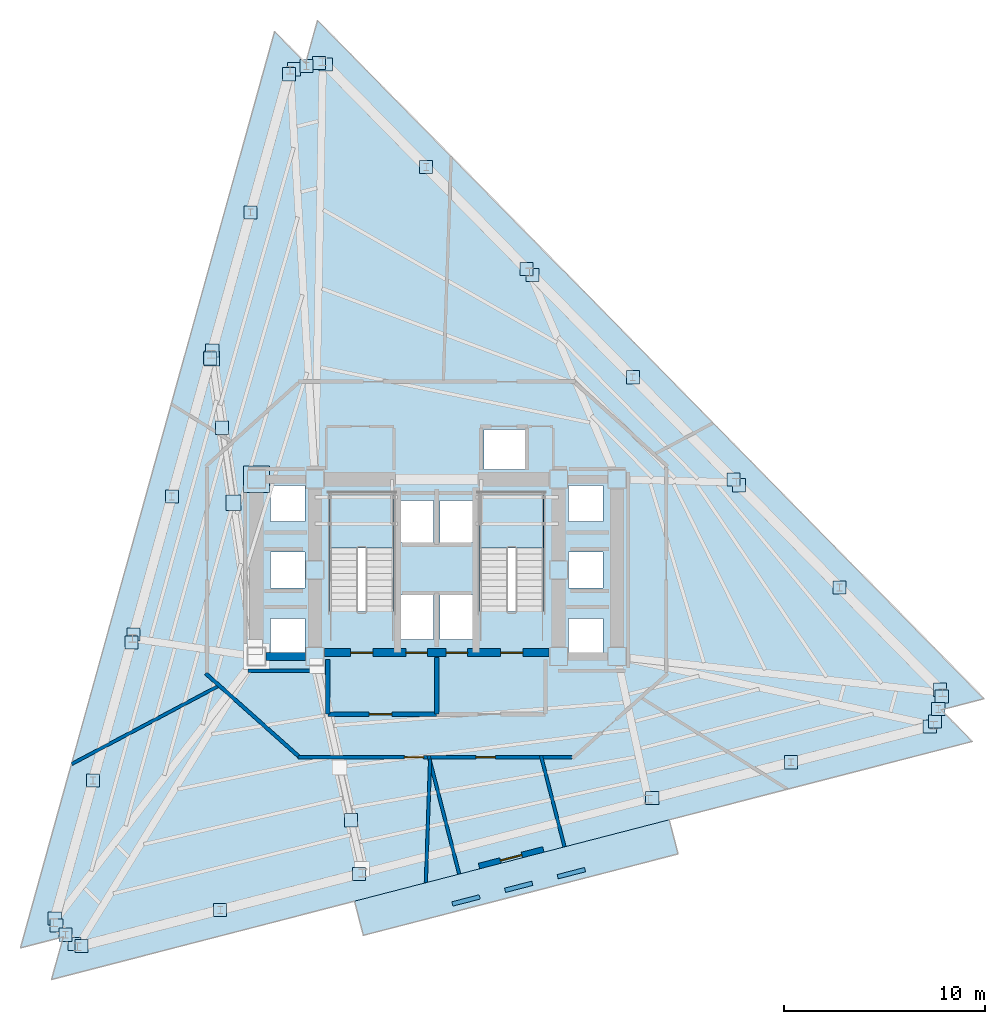
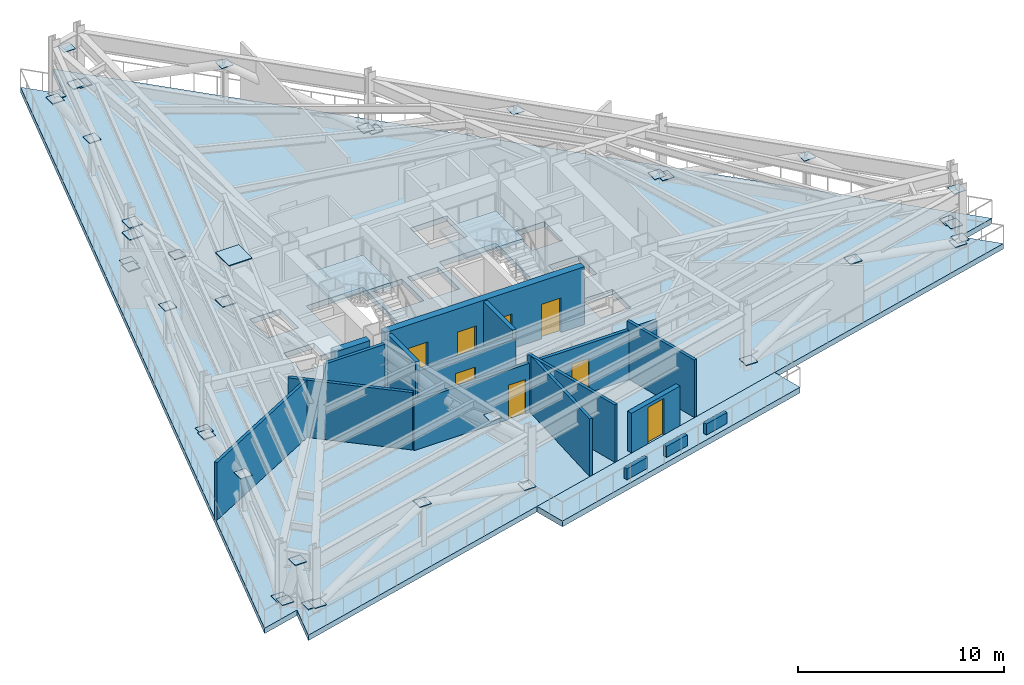
# One storey, part 6 of 11: 39 plates, 16 walls, 8 doors, 4 slabs, 8 openings, 2 elements without a shape of their own.
"""IFC4 building model written with IfcOpenShell, lengths in metres."""

from ifc_helpers import new_model, si_unit, direction, frame, frame_2d, origin, origin_2d, place, context, subcontext, project, spatial, polyline, rectangle, outline, extrude, material, layer, layer_set, type_object, element, fill, aggregate, save


model = new_model("IFC4")

# Units and contexts
model_context = context("Model", 3, precision=1e-05, world=origin(), true_north=direction((0.0, 1.0)))
body_context = subcontext(model_context, "Body", "Model", "MODEL_VIEW")
ifc_project = project(units=[si_unit("LENGTHUNIT", "METRE"), si_unit("AREAUNIT", "SQUARE_METRE"), si_unit("VOLUMEUNIT", "CUBIC_METRE"), si_unit("PLANEANGLEUNIT", "RADIAN"), si_unit("MASSUNIT", "GRAM", prefix="KILO")], contexts=[model_context])

# Site, building, storey
site_placement = place(None, origin())
site = spatial("IfcSite", under=ifc_project, at=site_placement, CompositionType="ELEMENT")
building_placement = place(site_placement, origin())
building = spatial("IfcBuilding", under=site, at=building_placement, Name="Rocaltana Carrier Exchange", CompositionType="ELEMENT")
storey_placement = place(building_placement, frame((0.0, 0.0, 100.800048828125)))
storey = spatial("IfcBuildingStorey", under=building, at=storey_placement, Name="L31", CompositionType="ELEMENT", Elevation=100.800048828125)

# Plates
ifc_material_1 = material(Name="Steel S460", Category="steel")
ifc_layer_1 = layer(ifc_material_1, 0.031982421875)
ifc_layer_set_1 = layer_set([ifc_layer_1], Name="Steel S460")
plate_type_1 = type_object("IfcPlateType", Name="Belt Truss Node End-Cap Plate 650x650x32", PredefinedType="USERDEFINED", material=ifc_layer_set_1)
for number, where, z_axis, x_axis, name in (
    (1, (24.97607421875, -5.947509765625, 0.333984375), (0.0, 0.0, 1.0), (1.0, 0.0, 0.0), "L31 Belt Truss Bottom Chord 1 node plate C0"),
    (2, (15.002685546875, 4.20166015625, 0.333984375), (0.0, 0.0, 1.0), (1.0, 0.0, 0.0), "L31 Belt Truss Bottom Chord 1 node plate C1"),
    (3, (19.989501953125, -0.872802734375, 2.82177734375), (0.0, 0.0, 1.0), (1.0, 0.0, 0.0), "L31 Belt Truss Diagonal 1A node plate C1"),
    (4, (14.719482421875, 4.48974609375, 0.333984375), (0.0, 0.0, 1.0), (1.0, 0.0, 0.0), "L31 Belt Truss Bottom Chord 2 node plate C0"),
    (5, (4.74609375, 14.638916015625, 0.333984375), (0.0, 0.0, 1.0), (1.0, 0.0, 0.0), "L31 Belt Truss Bottom Chord 2 node plate C1"),
    (6, (9.732666015625, 9.564208984375, 2.82177734375), (0.0, 0.0, 1.0), (1.0, 0.0, 0.0), "L31 Belt Truss Diagonal 2A node plate C1"),
    (7, (4.462890625, 14.927001953125, 0.333984375), (0.0, 0.0, 1.0), (1.0, 0.0, 0.0), "L31 Belt Truss Bottom Chord 3 node plate C0"),
    (8, (-5.510498046875, 25.076171875, 0.333984375), (0.0, 0.0, 1.0), (1.0, 0.0, 0.0), "L31 Belt Truss Bottom Chord 3 node plate C1"),
    (9, (-0.52392578125, 20.001708984375, 2.82177734375), (0.0, 0.0, 1.0), (1.0, 0.0, 0.0), "L31 Belt Truss Diagonal 3A node plate C1"),
    (10, (-5.847900390625, 25.169677734375, 0.333984375), (0.0, 0.0, 1.0), (1.0, 0.0, 0.0), "L31 Belt Truss Bottom Chord 4 node plate C0"),
    (11, (-7.087890625, 24.848876953125, 0.333984375), (0.0, 0.0, 1.0), (1.0, 0.0, 0.0), "L31 Belt Truss Bottom Chord 4 node plate C1"),
    (12, (-6.468017578125, 25.00927734375, 2.82177734375), (0.0, 0.0, 1.0), (1.0, 0.0, 0.0), "L31 Belt Truss Diagonal 4A node plate C1"),
    (13, (-7.33740234375, 24.603515625, 0.333984375), (0.0, 0.0, 1.0), (1.0, 0.0, 0.0), "L31 Belt Truss Bottom Chord 5 node plate C0"),
    (14, (-11.14013671875, 10.891845703125, 0.333984375), (0.0, 0.0, 1.0), (1.0, 0.0, 0.0), "L31 Belt Truss Bottom Chord 5 node plate C1"),
    (15, (-9.23876953125, 17.747802734375, 2.82177734375), (0.0, 0.0, 1.0), (1.0, 0.0, 0.0), "L31 Belt Truss Diagonal 5A node plate C1"),
    (16, (-11.248046875, 10.50244140625, 0.333984375), (0.0, 0.0, 1.0), (1.0, 0.0, 0.0), "L31 Belt Truss Bottom Chord 6 node plate C0"),
    (17, (-15.050537109375, -3.209228515625, 0.333984375), (0.0, 0.0, 1.0), (1.0, 0.0, 0.0), "L31 Belt Truss Bottom Chord 6 node plate C1"),
    (18, (-13.1494140625, 3.646728515625, 2.82177734375), (0.0, 0.0, 1.0), (1.0, 0.0, 0.0), "L31 Belt Truss Diagonal 6A node plate C1"),
    (19, (-15.15869140625, -3.5986328125, 0.333984375), (0.0, 0.0, 1.0), (1.0, 0.0, 0.0), "L31 Belt Truss Bottom Chord 7 node plate C0"),
    (20, (-18.961181640625, -17.310302734375, 0.333984375), (0.0, 0.0, 1.0), (1.0, 0.0, 0.0), "L31 Belt Truss Bottom Chord 7 node plate C1"),
    (21, (-17.059814453125, -10.45458984375, 2.82177734375), (0.0, 0.0, 1.0), (1.0, 0.0, 0.0), "L31 Belt Truss Diagonal 7A node plate C1"),
    (22, (-18.87353515625, -17.649169921875, 0.333984375), (0.0, 0.0, 1.0), (1.0, 0.0, 0.0), "L31 Belt Truss Bottom Chord 8 node plate C0"),
    (23, (-17.975830078125, -18.562744140625, 0.333984375), (0.0, 0.0, 1.0), (1.0, 0.0, 0.0), "L31 Belt Truss Bottom Chord 8 node plate C1"),
    (24, (-18.4248046875, -18.10595703125, 2.82177734375), (0.0, 0.0, 1.0), (1.0, 0.0, 0.0), "L31 Belt Truss Diagonal 8A node plate C1"),
    (25, (-17.638671875, -18.65625, 0.333984375), (0.0, 0.0, 1.0), (1.0, 0.0, 0.0), "L31 Belt Truss Bottom Chord 9 node plate C0"),
    (26, (-3.862548828125, -15.093505859375, 0.333984375), (0.0, 0.0, 1.0), (1.0, 0.0, 0.0), "L31 Belt Truss Bottom Chord 9 node plate C1"),
    (27, (-10.75048828125, -16.875, 2.82177734375), (0.0, 0.0, 1.0), (1.0, 0.0, 0.0), "L31 Belt Truss Diagonal 9A node plate C1"),
    (28, (10.69580078125, -11.328369140625, 0.333984375), (0.0, 0.0, 1.0), (1.0, 0.0, 0.0), "L31 Belt Truss Bottom Chord 11 node plate C0"),
    (29, (24.4716796875, -7.765869140625, 0.333984375), (0.0, 0.0, 1.0), (1.0, 0.0, 0.0), "L31 Belt Truss Bottom Chord 11 node plate C1"),
    (30, (17.583740234375, -9.547119140625, 2.82177734375), (0.0, 0.0, 1.0), (1.0, 0.0, 0.0), "L31 Belt Truss Diagonal 11A node plate C1"),
    (31, (24.721435546875, -7.5205078125, 0.333984375), (0.0, 0.0, 1.0), (1.0, 0.0, 0.0), "L31 Belt Truss Bottom Chord 12 node plate C0"),
    (32, (25.063720703125, -6.2861328125, 0.333984375), (0.0, 0.0, 1.0), (1.0, 0.0, 0.0), "L31 Belt Truss Bottom Chord 12 node plate C1"),
    (33, (24.892578125, -6.9033203125, 2.82177734375), (0.0, 0.0, 1.0), (1.0, 0.0, 0.0), "L31 Belt Truss Diagonal 12A node plate C1"),
    (34, (-10.6494140625, 7.057861328125, 2.921875), (0.0, 0.0, 1.0), (1.0, 0.0, 0.0), "L31 Wind Floor Tie Strut 6 node plate C1"),
    (35, (-4.247802734375, -12.425048828125, 2.921875), (0.0, 0.0, 1.0), (1.0, 0.0, 0.0), "L31 Wind Floor Tie Strut 10 node plate C1"),
):
    element("IfcPlate", number, at=place(storey_placement, frame(where, z_axis=z_axis, x_axis=x_axis)), inside=storey, type_object=plate_type_1, Name=name, ObjectType="GUSSET PLATE", PredefinedType="USERDEFINED", context=body_context, shape_type="SweptSolid", body=[
        extrude(rectangle(XDim=0.64990234375, YDim=0.64990234375, at=origin_2d()), origin(), (0.0, 0.0, 1.0), 0.031982421875),
    ])
ifc_material_2 = material(Name="Steel S460", Category="steel")
ifc_layer_2 = layer(ifc_material_2, 0.050048828125)
ifc_layer_set_2 = layer_set([ifc_layer_2], Name="Steel S460")
plate_type_2 = type_object("IfcPlateType", Name="Column Splice Cap Plate 1300x1300x50", PredefinedType="SHEET", material=ifc_layer_set_2)
plate_placement = place(storey_placement, frame((-8.949951171875, 4.5, 3.81494140625), z_axis=(0.0, 0.0, 1.0), x_axis=(1.0, 0.0, 0.0)))
element("IfcPlate", 36, at=plate_placement, inside=storey, type_object=plate_type_2, Name="Termination Cap Plate WC1", PredefinedType="SHEET", context=body_context, shape_type="SweptSolid", body=[
    extrude(rectangle(XDim=1.300048828125, YDim=1.300048828125, at=origin_2d()), origin(), (0.0, 0.0, 1.0), 0.050048828125),
])

# Slab
ifc_material_3 = material(Name="Concrete C50/60", Category="concrete")
ifc_layer_3 = layer(ifc_material_3, 0.320068359375)
ifc_layer_set_3 = layer_set([ifc_layer_3], Name="Concrete C50/60")
slab_type_1 = type_object("IfcSlabType", Name="Mechanical Plant Slab 320", PredefinedType="FLOOR", material=ifc_layer_set_3)
slab_1_placement = place(storey_placement, frame((0.0, 0.0, -0.320068359375)))
element("IfcSlab", 37, at=slab_1_placement, inside=storey, type_object=slab_type_1, Name="L31 Structural Floor Slab", PredefinedType="FLOOR", context=body_context, shape_type="SweptSolid", body=[
    extrude(outline(polyline([(26.577880859375, -8.51220703125), (25.035888671875, -6.943115234375), (27.165771484375, -6.39208984375), (-5.9169921875, 27.273193359375), (-6.505126953125, 25.1533203125), (-8.047119140625, 26.722412109375), (-20.66064453125, -18.760986328125), (-18.53076171875, -18.210205078125), (-19.11865234375, -20.330078125), (26.577880859375, -8.51220703125)]), holes=[polyline([(-5.300048828125, -2.06005859375), (-2.139892578125, -2.06005859375), (-2.139892578125, 3.800048828125), (-5.300048828125, 3.800048828125), (-5.300048828125, -2.06005859375)]), polyline([(2.139892578125, -2.06005859375), (5.300048828125, -2.06005859375), (5.300048828125, 3.800048828125), (2.139892578125, 3.800048828125), (2.139892578125, -2.06005859375)]), polyline([(-1.85009765625, -3.449951171875), (-0.14990234375, -3.449951171875), (-0.14990234375, -1.25), (-1.85009765625, -1.25), (-1.85009765625, -3.449951171875)]), polyline([(0.14990234375, -3.449951171875), (1.85009765625, -3.449951171875), (1.85009765625, -1.25), (0.14990234375, -1.25), (0.14990234375, -3.449951171875)]), polyline([(2.35009765625, 4.97998046875), (4.39990234375, 4.97998046875), (4.39990234375, 6.97998046875), (2.35009765625, 6.97998046875), (2.35009765625, 4.97998046875)]), polyline([(-1.85009765625, 1.35009765625), (-0.14990234375, 1.35009765625), (-0.14990234375, 3.449951171875), (-1.85009765625, 3.449951171875), (-1.85009765625, 1.35009765625)]), polyline([(0.14990234375, 1.35009765625), (1.85009765625, 1.35009765625), (1.85009765625, 3.449951171875), (0.14990234375, 3.449951171875), (0.14990234375, 1.35009765625)]), polyline([(-8.25, -4.199951171875), (-6.550048828125, -4.199951171875), (-6.550048828125, -2.39990234375), (-8.25, -2.39990234375), (-8.25, -4.199951171875)]), polyline([(-8.25, -0.89990234375), (-6.550048828125, -0.89990234375), (-6.550048828125, 0.89990234375), (-8.25, 0.89990234375), (-8.25, -0.89990234375)]), polyline([(-8.25, 2.39990234375), (-6.550048828125, 2.39990234375), (-6.550048828125, 4.199951171875), (-8.25, 4.199951171875), (-8.25, 2.39990234375)]), polyline([(6.550048828125, -4.199951171875), (8.25, -4.199951171875), (8.25, -2.39990234375), (6.550048828125, -2.39990234375), (6.550048828125, -4.199951171875)]), polyline([(6.550048828125, -0.89990234375), (8.25, -0.89990234375), (8.25, 0.89990234375), (6.550048828125, 0.89990234375), (6.550048828125, -0.89990234375)]), polyline([(6.550048828125, 2.39990234375), (8.25, 2.39990234375), (8.25, 4.199951171875), (6.550048828125, 4.199951171875), (6.550048828125, 2.39990234375)])]), origin(), (0.0, 0.0, 1.0), 0.320068359375),
])

# Plates
ifc_material_4 = material(Name="Steel S460", Category="steel")
ifc_layer_4 = layer(ifc_material_4, 0.035888671875)
ifc_layer_set_4 = layer_set([ifc_layer_4], Name="Steel S460")
plate_type_3 = type_object("IfcPlateType", Name="Outrigger Node Gusset Plate 750x750x36", PredefinedType="USERDEFINED", material=ifc_layer_set_4)
for number, where, z_axis, x_axis, name in (
    (38, (-11.164306640625, 10.497314453125, 2.22216796875), (0.0, 0.0, 1.0), (1.0, 0.0, 0.0), "L31 Outrigger Bottom Chord 6 node plate C1"),
    (39, (-11.164306640625, 10.497314453125, 2.919921875), (0.0, 0.0, 1.0), (1.0, 0.0, 0.0), "L31 Outrigger Top Chord 6 node plate C1"),
    (40, (-10.092041015625, 3.33154296875, 2.22216796875), (0.0, 0.0, 1.0), (1.0, 0.0, 0.0), "L31 Outrigger Inner Diagonal 6 node plate C1"),
):
    element("IfcPlate", number, at=place(storey_placement, frame(where, z_axis=z_axis, x_axis=x_axis)), inside=storey, type_object=plate_type_3, Name=name, ObjectType="GUSSET PLATE", PredefinedType="USERDEFINED", context=body_context, shape_type="SweptSolid", body=[
        extrude(rectangle(XDim=0.75, YDim=0.75, at=origin_2d()), origin(), (0.0, 0.0, 1.0), 0.035888671875),
    ])

# Stair, slab
ifc_material_5 = material(Name="Precast concrete C45/55", Category="concrete")
stair_type = type_object("IfcStairType", Name="Standard Dog-Leg Stair 160", PredefinedType="HALF_TURN_STAIR", material=ifc_material_5)
stair_1_placement = place(storey_placement, origin())
stair_1 = element("IfcStair", 41, at=stair_1_placement, inside=storey, type_object=stair_type, Name="L31 Core West Exit Stair ST-1", PredefinedType="HALF_TURN_STAIR")
ifc_material_6 = material(Name="Precast concrete C45/55", Category="concrete")
ifc_layer_5 = layer(ifc_material_6, 0.199951171875)
ifc_layer_set_5 = layer_set([ifc_layer_5], Name="Precast concrete C45/55")
slab_type_2 = type_object("IfcSlabType", Name="Precast Stair Half-Landing 200", PredefinedType="LANDING", material=ifc_layer_set_5)
slab_2_placement = place(storey_placement, frame((0.0, 0.0, 1.719970703125)))
slab_2 = element("IfcSlab", 42, at=slab_2_placement, type_object=slab_type_2, Name="ST-1 landing 1", PredefinedType="LANDING", context=body_context, shape_type="SweptSolid", body=[
    extrude(outline(polyline([(-2.139892578125, 1.10009765625), (-2.139892578125, 3.800048828125), (-5.300048828125, 3.800048828125), (-5.300048828125, 1.10009765625), (-2.139892578125, 1.10009765625)])), origin(), (0.0, 0.0, 1.0), 0.199951171875),
])
aggregate(stair_1, [slab_2])

stair_2_placement = place(storey_placement, origin())
stair_2 = element("IfcStair", 43, at=stair_2_placement, inside=storey, type_object=stair_type, Name="L31 Core East Exit Stair ST-2", PredefinedType="HALF_TURN_STAIR")
slab_3_placement = place(storey_placement, frame((0.0, 0.0, 1.719970703125)))
slab_3 = element("IfcSlab", 44, at=slab_3_placement, type_object=slab_type_2, Name="ST-2 landing 1", PredefinedType="LANDING", context=body_context, shape_type="SweptSolid", body=[
    extrude(outline(polyline([(5.300048828125, 1.10009765625), (5.300048828125, 3.800048828125), (2.139892578125, 3.800048828125), (2.139892578125, 1.10009765625), (5.300048828125, 1.10009765625)])), origin(), (0.0, 0.0, 1.0), 0.199951171875),
])
aggregate(stair_2, [slab_3])

# Slab
ifc_material_7 = material(Name="Concrete C50/60", Category="concrete")
ifc_layer_6 = layer(ifc_material_7, 0.340087890625)
ifc_layer_set_6 = layer_set([ifc_layer_6], Name="Concrete C50/60")
slab_type_3 = type_object("IfcSlabType", Name="Sky Garden Deck Slab 340", PredefinedType="FLOOR", material=ifc_layer_set_6)
slab_4_placement = place(storey_placement, frame((0.0, 0.0, -0.340087890625)))
element("IfcSlab", 45, at=slab_4_placement, inside=storey, type_object=slab_type_3, Name="L31 Sky Garden Terrace Deck", PredefinedType="FLOOR", context=body_context, shape_type="SweptSolid", body=[
    extrude(outline(polyline([(-4.080078125, -16.44091796875), (-3.64208984375, -18.13525390625), (11.9775390625, -14.095703125), (11.539306640625, -12.4013671875), (-4.080078125, -16.44091796875)])), origin(), (0.0, 0.0, 1.0), 0.340087890625),
])

# Walls
ifc_material_8 = material(Name="Double Acoustic Gypsum Partition", Category="gypsum")
ifc_layer_7 = layer(ifc_material_8, 0.159912109375)
ifc_layer_set_7 = layer_set([ifc_layer_7], Name="Double Acoustic Gypsum Partition")
wall_type_1 = type_object("IfcWallType", Name="Acoustic Studio Partition 160 EI60", PredefinedType="PARTITIONING", material=ifc_layer_set_7)
wall_1_placement = place(storey_placement, frame((-10.869873046875, -5.779541015625, 0.0), z_axis=(0.0, 0.0, 1.0), x_axis=(-0.882935860211, -0.469493628022, 0.0)))
element("IfcWall", 46, at=wall_1_placement, inside=storey, type_object=wall_type_1, Name="L31 Suite Divider Wall D1", PredefinedType="PARTITIONING", context=body_context, shape_type="SweptSolid", body=[
    extrude(rectangle(XDim=8.21044921875, YDim=0.159912109375, at=frame_2d((4.105224609375, 0.0))), origin(), (0.0, 0.0, 1.0), 3.39306640625),
])
wall_2_placement = place(storey_placement, frame((-0.32763671875, -9.3798828125, 0.0), z_axis=(0.0, 0.0, 1.0), x_axis=(-0.034875909332, -0.99939165043, 0.0)))
element("IfcWall", 47, at=wall_2_placement, inside=storey, type_object=wall_type_1, Name="L31 Suite Divider Wall D2", PredefinedType="PARTITIONING", context=body_context, shape_type="SweptSolid", body=[
    extrude(rectangle(XDim=6.13916015625, YDim=0.159912109375, at=frame_2d((3.069580078125, 0.0))), origin(), (0.0, 0.0, 1.0), 3.39306640625),
])
wall_3_placement = place(storey_placement, frame((-0.404296875, -9.219970703125, 0.0), z_axis=(0.0, 0.0, 1.0), x_axis=(0.250366546607, -0.968151120611, 0.0)))
element("IfcWall", 48, at=wall_3_placement, inside=storey, type_object=wall_type_1, Name="L31 Enclosure Partition 1.1", PredefinedType="PARTITIONING", context=body_context, shape_type="SweptSolid", body=[
    extrude(rectangle(XDim=6.060546875, YDim=0.159912109375, at=frame_2d((3.0302734375, 0.0))), origin(), (0.0, 0.0, 1.0), 3.39306640625),
])
wall_4_placement = place(storey_placement, frame((6.341064453125, -13.7353515625, 0.0), z_axis=(0.0, 0.0, 1.0), x_axis=(-0.250373516553, 0.968149318137, 0.0)))
element("IfcWall", 49, at=wall_4_placement, inside=storey, type_object=wall_type_1, Name="L31 Enclosure Partition 1.1", PredefinedType="PARTITIONING", context=body_context, shape_type="SweptSolid", body=[
    extrude(rectangle(XDim=4.663818359375, YDim=0.159912109375, at=frame_2d((2.33203125, 0.0))), origin(), (0.0, 0.0, 1.0), 3.39306640625),
])

# Wall, openings, doors
ifc_material_9 = material(Name="Concrete C50/60", Category="concrete")
ifc_layer_8 = layer(ifc_material_9, 0.39990234375)
ifc_layer_set_8 = layer_set([ifc_layer_8], Name="Concrete C50/60")
wall_type_2 = type_object("IfcWallType", Name="Core Internal Shear Wall 400", PredefinedType="SHEAR", material=ifc_layer_set_8)
wall_5_placement = place(storey_placement, frame((-5.574951171875, -4.10009765625, 0.0), z_axis=(0.0, 0.0, 1.0), x_axis=(1.0, 0.0, 0.0)))
wall_5 = element("IfcWall", 50, at=wall_5_placement, inside=storey, type_object=wall_type_2, Name="L31 Core Shear Wall CW-S", PredefinedType="SHEAR", context=body_context, shape_type="SweptSolid", body=[
    extrude(rectangle(XDim=11.14990234375, YDim=0.39990234375, at=frame_2d((5.574951171875, 0.0))), origin(), (0.0, 0.0, 1.0), 3.41796875),
])
opening_1_placement = place(wall_5_placement, frame((1.304931640625, 0.0, 0.0)))
opening_1 = element("IfcOpeningElement", 51, at=opening_1_placement, cuts=wall_5, Name="Opening D-ST110", PredefinedType="OPENING", context=body_context, shape_type="SweptSolid", body=[
    extrude(rectangle(XDim=1.10009765625, YDim=2.0400390625, at=frame_2d((0.550048828125, 1.02001953125))), frame((0.0, 0.2099609375, 0.0), z_axis=(0.0, -1.0, 0.0), x_axis=(1.0, 0.0, 0.0)), (0.0, 0.0, 1.0), 0.419921875),
])
opening_2_placement = place(wall_5_placement, frame((8.7451171875, 0.0, 0.0)))
opening_2 = element("IfcOpeningElement", 52, at=opening_2_placement, cuts=wall_5, Name="Opening D-ST110", PredefinedType="OPENING", context=body_context, shape_type="SweptSolid", body=[
    extrude(rectangle(XDim=1.10009765625, YDim=2.0400390625, at=frame_2d((0.550048828125, 1.02001953125))), frame((0.0, 0.2099609375, 0.0), z_axis=(0.0, -1.0, 0.0), x_axis=(1.0, 0.0, 0.0)), (0.0, 0.0, 1.0), 0.419921875),
])
opening_3_placement = place(wall_5_placement, frame((4.044921875, 0.0, 0.0)))
opening_3 = element("IfcOpeningElement", 53, at=opening_3_placement, cuts=wall_5, Name="Opening LD-110", PredefinedType="OPENING", context=body_context, shape_type="SweptSolid", body=[
    extrude(rectangle(XDim=1.06005859375, YDim=2.0400390625, at=frame_2d((0.530029296875, 1.02001953125))), frame((0.0, 0.2099609375, 0.0), z_axis=(0.0, -1.0, 0.0), x_axis=(1.0, 0.0, 0.0)), (0.0, 0.0, 1.0), 0.419921875),
])
opening_4_placement = place(wall_5_placement, frame((6.044921875, 0.0, 0.0)))
opening_4 = element("IfcOpeningElement", 54, at=opening_4_placement, cuts=wall_5, Name="Opening LD-110", PredefinedType="OPENING", context=body_context, shape_type="SweptSolid", body=[
    extrude(rectangle(XDim=1.06005859375, YDim=2.0400390625, at=frame_2d((0.530029296875, 1.02001953125))), frame((0.0, 0.2099609375, 0.0), z_axis=(0.0, -1.0, 0.0), x_axis=(1.0, 0.0, 0.0)), (0.0, 0.0, 1.0), 0.419921875),
])
ifc_material_10 = material(Name="Hollow Metal Fire Door Assembly", Category="steel")
door_type_1 = type_object("IfcDoorType", Name="Exit Stair Fire Door 1100x2040 FD90S", OperationType="NOTDEFINED", PredefinedType="DOOR", material=ifc_material_10)
door_1_placement = place(opening_1_placement, origin())
door_1 = element("IfcDoor", 55, at=door_1_placement, inside=storey, type_object=door_type_1, Name="L31 Exit Stair ST1 Fire Door", OperationType="SINGLE_SWING_LEFT", OverallHeight=2.0400390625, OverallWidth=1.10009765625, PredefinedType="DOOR", context=body_context, shape_type="SweptSolid", body=[
    extrude(rectangle(XDim=1.10009765625, YDim=2.0400390625, at=frame_2d((0.550048828125, 1.02001953125))), frame((0.0, 0.02490234375, 0.0), z_axis=(0.0, -1.0, 0.0), x_axis=(1.0, 0.0, 0.0)), (0.0, 0.0, 1.0), 0.050048828125),
])
fill(opening_1, door_1)
door_2_placement = place(opening_2_placement, origin())
door_2 = element("IfcDoor", 56, at=door_2_placement, inside=storey, type_object=door_type_1, Name="L31 Exit Stair ST2 Fire Door", OperationType="SINGLE_SWING_RIGHT", OverallHeight=2.0400390625, OverallWidth=1.10009765625, PredefinedType="DOOR", context=body_context, shape_type="SweptSolid", body=[
    extrude(rectangle(XDim=1.10009765625, YDim=2.0400390625, at=frame_2d((0.550048828125, 1.02001953125))), frame((0.0, 0.02490234375, 0.0), z_axis=(0.0, -1.0, 0.0), x_axis=(1.0, 0.0, 0.0)), (0.0, 0.0, 1.0), 0.050048828125),
])
fill(opening_2, door_2)
ifc_material_11 = material(Name="Brushed Stainless Sliding Door Leaf", Category="steel")
door_type_2 = type_object("IfcDoorType", Name="Lift Landing Sliding Door 1060x2040", OperationType="NOTDEFINED", PredefinedType="DOOR", material=ifc_material_11)
door_3_placement = place(opening_3_placement, origin())
door_3 = element("IfcDoor", 57, at=door_3_placement, inside=storey, type_object=door_type_2, Name="L31 Firefighting Lift FFL1 Landing Door", OperationType="SLIDING_TO_LEFT", OverallHeight=2.0400390625, OverallWidth=1.06005859375, PredefinedType="DOOR", context=body_context, shape_type="SweptSolid", body=[
    extrude(rectangle(XDim=1.06005859375, YDim=2.0400390625, at=frame_2d((0.530029296875, 1.02001953125))), frame((0.0, 0.02490234375, 0.0), z_axis=(0.0, -1.0, 0.0), x_axis=(1.0, 0.0, 0.0)), (0.0, 0.0, 1.0), 0.050048828125),
])
fill(opening_3, door_3)
door_4_placement = place(opening_4_placement, origin())
door_4 = element("IfcDoor", 58, at=door_4_placement, inside=storey, type_object=door_type_2, Name="L31 Firefighting Lift FFL2 Landing Door", OperationType="SLIDING_TO_RIGHT", OverallHeight=2.0400390625, OverallWidth=1.06005859375, PredefinedType="DOOR", context=body_context, shape_type="SweptSolid", body=[
    extrude(rectangle(XDim=1.06005859375, YDim=2.0400390625, at=frame_2d((0.530029296875, 1.02001953125))), frame((0.0, 0.02490234375, 0.0), z_axis=(0.0, -1.0, 0.0), x_axis=(1.0, 0.0, 0.0)), (0.0, 0.0, 1.0), 0.050048828125),
])
fill(opening_4, door_4)

# Wall
wall_6_placement = place(storey_placement, frame((-8.47509765625, -4.300048828125, 0.0), z_axis=(0.0, 0.0, 1.0), x_axis=(1.0, 0.0, 0.0)))
element("IfcWall", 59, at=wall_6_placement, inside=storey, type_object=wall_type_2, Name="L31 Core Shear Wall CW-WWS", PredefinedType="SHEAR", context=body_context, shape_type="SweptSolid", body=[
    extrude(rectangle(XDim=1.9501953125, YDim=0.39990234375, at=frame_2d((0.97509765625, 0.0))), origin(), (0.0, 0.0, 1.0), 3.41796875),
])

# Wall, openings, doors
ifc_material_12 = material(Name="Gypsum & Steel Stud Partition", Category="steel")
ifc_layer_9 = layer(ifc_material_12, 0.179931640625)
ifc_layer_set_9 = layer_set([ifc_layer_9], Name="Gypsum & Steel Stud Partition")
wall_type_3 = type_object("IfcWallType", Name="Corridor Fire Partition 180 EI60", PredefinedType="PARTITIONING", material=ifc_layer_set_9)
wall_7_placement = place(storey_placement, frame((6.7099609375, -9.300048828125, 0.0), z_axis=(0.0, 0.0, 1.0), x_axis=(-1.0, 0.0, 0.0)))
wall_7 = element("IfcWall", 60, at=wall_7_placement, inside=storey, type_object=wall_type_3, Name="L31 Corridor Partition 5", PredefinedType="PARTITIONING", context=body_context, shape_type="SweptSolid", body=[
    extrude(rectangle(XDim=13.599853515625, YDim=0.179931640625, at=frame_2d((6.7998046875, 0.0))), origin(), (0.0, 0.0, 1.0), 2.906982421875),
])
opening_5_placement = place(wall_7_placement, frame((3.80419921875, 0.0, 0.0)))
opening_5 = element("IfcOpeningElement", 61, at=opening_5_placement, cuts=wall_7, Name="Opening D-RM098", PredefinedType="OPENING", context=body_context, shape_type="SweptSolid", body=[
    extrude(rectangle(XDim=0.9599609375, YDim=2.02001953125, at=frame_2d((0.47998046875, 1.010009765625))), frame((0.0, 0.099853515625, 0.0), z_axis=(0.0, -1.0, 0.0), x_axis=(1.0, 0.0, 0.0)), (0.0, 0.0, 1.0), 0.199951171875),
])
opening_6_placement = place(wall_7_placement, frame((7.358642578125, 0.0, 0.0)))
opening_6 = element("IfcOpeningElement", 62, at=opening_6_placement, cuts=wall_7, Name="Opening D-RM098", PredefinedType="OPENING", context=body_context, shape_type="SweptSolid", body=[
    extrude(rectangle(XDim=0.9599609375, YDim=2.02001953125, at=frame_2d((0.47998046875, 1.010009765625))), frame((0.0, 0.099853515625, 0.0), z_axis=(0.0, -1.0, 0.0), x_axis=(1.0, 0.0, 0.0)), (0.0, 0.0, 1.0), 0.199951171875),
])
ifc_material_13 = material(Name="Engineered Hardwood Timber", Category="wood")
door_type_3 = type_object("IfcDoorType", Name="Workspace Single Door 960x2020", OperationType="NOTDEFINED", PredefinedType="DOOR", material=ifc_material_13)
door_5_placement = place(opening_5_placement, origin())
door_5 = element("IfcDoor", 63, at=door_5_placement, inside=storey, type_object=door_type_3, Name="L31 Sky Garden Lounge Entrance Door", OperationType="SINGLE_SWING_LEFT", OverallHeight=2.02001953125, OverallWidth=0.9599609375, PredefinedType="DOOR", context=body_context, shape_type="SweptSolid", body=[
    extrude(rectangle(XDim=0.9599609375, YDim=2.02001953125, at=frame_2d((0.47998046875, 1.010009765625))), frame((0.0, 0.02490234375, 0.0), z_axis=(0.0, -1.0, 0.0), x_axis=(1.0, 0.0, 0.0)), (0.0, 0.0, 1.0), 0.050048828125),
])
fill(opening_5, door_5)
door_6_placement = place(opening_6_placement, origin())
door_6 = element("IfcDoor", 64, at=door_6_placement, inside=storey, type_object=door_type_3, Name="L31 High-Altitude Free-Cooling AHU Room Entrance Door", OperationType="SINGLE_SWING_LEFT", OverallHeight=2.02001953125, OverallWidth=0.9599609375, PredefinedType="DOOR", context=body_context, shape_type="SweptSolid", body=[
    extrude(rectangle(XDim=0.9599609375, YDim=2.02001953125, at=frame_2d((0.47998046875, 1.010009765625))), frame((0.0, 0.02490234375, 0.0), z_axis=(0.0, -1.0, 0.0), x_axis=(1.0, 0.0, 0.0)), (0.0, 0.0, 1.0), 0.050048828125),
])
fill(opening_6, door_6)

# Walls
wall_8_placement = place(storey_placement, frame((-6.8671875, -9.239990234375, 0.0), z_axis=(0.0, 0.0, 1.0), x_axis=(-0.746532095616, 0.665349404611, 0.0)))
element("IfcWall", 65, at=wall_8_placement, inside=storey, type_object=wall_type_3, Name="L31 Corridor Partition 6", PredefinedType="PARTITIONING", context=body_context, shape_type="SweptSolid", body=[
    extrude(rectangle(XDim=6.161865234375, YDim=0.179931640625, at=frame_2d((3.0810546875, 0.0))), origin(), (0.0, 0.0, 1.0), 3.39306640625),
])
wall_9_placement = place(storey_placement, frame((-9.3701171875, -5.010009765625, 0.0), z_axis=(0.0, 0.0, 1.0), x_axis=(1.0, 0.0, 0.0)))
element("IfcWall", 66, at=wall_9_placement, inside=storey, type_object=wall_type_3, Name="L31 Corridor Partition 10", PredefinedType="PARTITIONING", context=body_context, shape_type="SweptSolid", body=[
    extrude(rectangle(XDim=3.340087890625, YDim=0.179931640625, at=frame_2d((1.669921875, 0.0))), origin(), (0.0, 0.0, 1.0), 3.39306640625),
])
ifc_material_14 = material(Name="Autoclaved Aerated Concrete C30/37", Category="concrete")
ifc_layer_10 = layer(ifc_material_14, 0.219970703125)
ifc_layer_set_10 = layer_set([ifc_layer_10], Name="Autoclaved Aerated Concrete C30/37")
wall_type_4 = type_object("IfcWallType", Name="Firefighting Lobby Wall 220 EI120", PredefinedType="PARTITIONING", material=ifc_layer_set_10)
wall_10_placement = place(storey_placement, frame((-5.39990234375, -7.159912109375, 0.0), z_axis=(0.0, 0.0, 1.0), x_axis=(0.0, 1.0, 0.0)))
element("IfcWall", 67, at=wall_10_placement, inside=storey, type_object=wall_type_4, Name="L31 FFL Lobby 1 West Wall", PredefinedType="PARTITIONING", context=body_context, shape_type="SweptSolid", body=[
    extrude(rectangle(XDim=2.7099609375, YDim=0.219970703125, at=frame_2d((1.35498046875, 0.0))), origin(), (0.0, 0.0, 1.0), 3.39306640625),
])
wall_11_placement = place(storey_placement, frame((0.0, -7.159912109375, 0.0), z_axis=(0.0, 0.0, 1.0), x_axis=(0.0, 1.0, 0.0)))
element("IfcWall", 68, at=wall_11_placement, inside=storey, type_object=wall_type_4, Name="L31 FFL Lobby Centre Wall", PredefinedType="PARTITIONING", context=body_context, shape_type="SweptSolid", body=[
    extrude(rectangle(XDim=2.809814453125, YDim=0.219970703125, at=frame_2d((1.40478515625, 0.0))), origin(), (0.0, 0.0, 1.0), 3.39306640625),
])

# Wall, opening, door
wall_12_placement = place(storey_placement, frame((-5.39990234375, -7.159912109375, 0.0), z_axis=(0.0, 0.0, 1.0), x_axis=(1.0, 0.0, 0.0)))
wall_12 = element("IfcWall", 69, at=wall_12_placement, inside=storey, type_object=wall_type_4, Name="L31 FFL Lobby 1 South Wall", PredefinedType="PARTITIONING", context=body_context, shape_type="SweptSolid", body=[
    extrude(rectangle(XDim=5.39990234375, YDim=0.219970703125, at=frame_2d((2.699951171875, 0.0))), origin(), (0.0, 0.0, 1.0), 2.906982421875),
])
opening_7_placement = place(wall_12_placement, frame((2.050048828125, 0.0, 0.0)))
opening_7 = element("IfcOpeningElement", 70, at=opening_7_placement, cuts=wall_12, Name="Opening D-FF115", PredefinedType="OPENING", context=body_context, shape_type="SweptSolid", body=[
    extrude(rectangle(XDim=1.1201171875, YDim=2.02001953125, at=frame_2d((0.56005859375, 1.010009765625))), frame((0.0, 0.119873046875, 0.0), z_axis=(0.0, -1.0, 0.0), x_axis=(1.0, 0.0, 0.0)), (0.0, 0.0, 1.0), 0.239990234375),
])
ifc_material_15 = material(Name="Hollow Metal Fire Door Assembly", Category="steel")
door_type_4 = type_object("IfcDoorType", Name="Firefighting Lobby Door 1120x2020 FD60S", OperationType="NOTDEFINED", PredefinedType="DOOR", material=ifc_material_15)
door_7_placement = place(opening_7_placement, origin())
door_7 = element("IfcDoor", 71, at=door_7_placement, inside=storey, type_object=door_type_4, Name="L31 Firefighting Lift Lobby 1 Door", OperationType="SINGLE_SWING_LEFT", OverallHeight=2.02001953125, OverallWidth=1.1201171875, PredefinedType="DOOR", context=body_context, shape_type="SweptSolid", body=[
    extrude(rectangle(XDim=1.1201171875, YDim=2.02001953125, at=frame_2d((0.56005859375, 1.010009765625))), frame((0.0, 0.02490234375, 0.0), z_axis=(0.0, -1.0, 0.0), x_axis=(1.0, 0.0, 0.0)), (0.0, 0.0, 1.0), 0.050048828125),
])
fill(opening_7, door_7)

ifc_material_16 = material(Name="Precast sandstone concrete C45/55", Category="masonry")
ifc_layer_11 = layer(ifc_material_16, 0.280029296875)
ifc_layer_set_11 = layer_set([ifc_layer_11], Name="Precast sandstone concrete C45/55")
wall_type_5 = type_object("IfcWallType", Name="Sky Garden Foyer Enclosure Wall 280", PredefinedType="SOLIDWALL", material=ifc_layer_set_11)
wall_13_placement = place(storey_placement, frame((5.2919921875, -13.87255859375, 0.0), z_axis=(0.0, 0.0, 1.0), x_axis=(-0.968152477167, -0.250361300835, 0.0)))
wall_13 = element("IfcWall", 72, at=wall_13_placement, inside=storey, type_object=wall_type_5, Name="L31 Sky Garden Foyer Wall", PredefinedType="SOLIDWALL", context=body_context, shape_type="SweptSolid", body=[
    extrude(rectangle(XDim=3.2998046875, YDim=0.280029296875, at=frame_2d((1.64990234375, 0.0))), origin(), (0.0, 0.0, 1.0), 2.347900390625),
])
opening_8_placement = place(wall_13_placement, frame((1.10009765625, 0.0, 0.0)))
opening_8 = element("IfcOpeningElement", 73, at=opening_8_placement, cuts=wall_13, Name="Opening DT-110", PredefinedType="OPENING", context=body_context, shape_type="SweptSolid", body=[
    extrude(rectangle(XDim=1.10009765625, YDim=2.14990234375, at=frame_2d((0.550048828125, 1.074951171875))), frame((0.0, 0.14990234375, 0.0), z_axis=(0.0, -1.0, 0.0), x_axis=(1.0, 0.0, 0.0)), (0.0, 0.0, 1.0), 0.300048828125),
])
ifc_material_17 = material(Name="Anodised Aluminium 6063-T6", Category="aluminium")
door_type_5 = type_object("IfcDoorType", Name="Outdoor Terrace Access Door 1100x2150", OperationType="NOTDEFINED", PredefinedType="DOOR", material=ifc_material_17)
door_8_placement = place(opening_8_placement, origin())
door_8 = element("IfcDoor", 74, at=door_8_placement, inside=storey, type_object=door_type_5, Name="L31 Sky Garden Terrace Access Door", OperationType="SINGLE_SWING_RIGHT", OverallHeight=2.14990234375, OverallWidth=1.10009765625, PredefinedType="DOOR", context=body_context, shape_type="SweptSolid", body=[
    extrude(rectangle(XDim=1.10009765625, YDim=2.14990234375, at=frame_2d((0.550048828125, 1.074951171875))), frame((0.0, 0.02490234375, 0.0), z_axis=(0.0, -1.0, 0.0), x_axis=(1.0, 0.0, 0.0)), (0.0, 0.0, 1.0), 0.050048828125),
])
fill(opening_8, door_8)

# Walls
ifc_material_18 = material(Name="Precast sandstone concrete C40/50", Category="masonry")
ifc_layer_12 = layer(ifc_material_18, 0.219970703125)
ifc_layer_set_12 = layer_set([ifc_layer_12], Name="Precast sandstone concrete C40/50")
wall_type_6 = type_object("IfcWallType", Name="Sky Garden Stone Planter Curb 220", PredefinedType="USERDEFINED", material=ifc_layer_set_12)
for number, where, z_axis, x_axis, name in (
    (75, (0.77587890625, -16.579345703125, 0.0), (0.0, 0.0, 1.0), (0.968183342833, 0.250241912278, 0.0), "L31 Sky Garden Stone Planter 1"),
    (76, (3.389892578125, -15.9033203125, 0.0), (0.0, 0.0, 1.0), (0.968183342833, 0.250241912278, 0.0), "L31 Sky Garden Stone Planter 2"),
    (77, (6.00390625, -15.227294921875, 0.0), (0.0, 0.0, 1.0), (0.968183342833, 0.250241912278, 0.0), "L31 Sky Garden Stone Planter 3"),
):
    element("IfcWall", number, at=place(storey_placement, frame(where, z_axis=z_axis, x_axis=x_axis)), inside=storey, type_object=wall_type_6, Name=name, ObjectType="PLANTER", PredefinedType="USERDEFINED", context=body_context, shape_type="SweptSolid", body=[
        extrude(rectangle(XDim=1.39990234375, YDim=0.219970703125, at=frame_2d((0.699951171875, 0.0))), origin(), (0.0, 0.0, 1.0), 0.64990234375),
    ])

save(model, "model.ifc")
